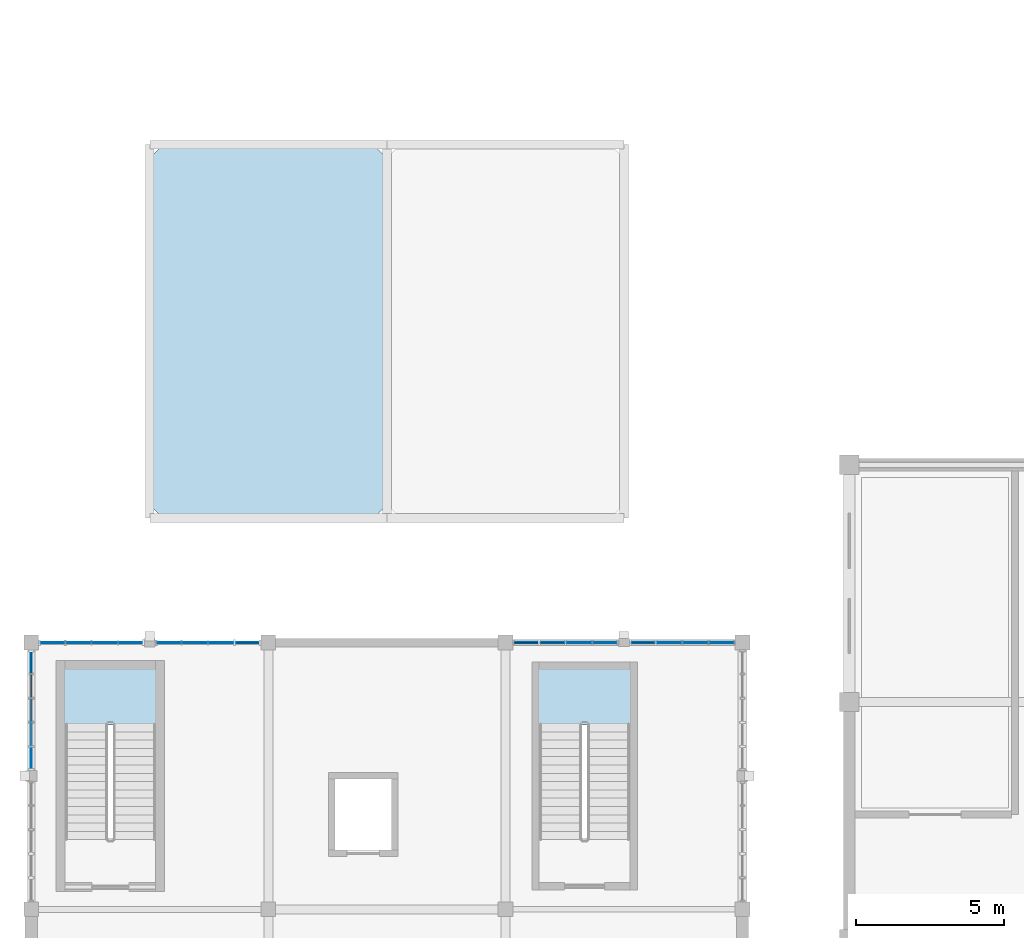
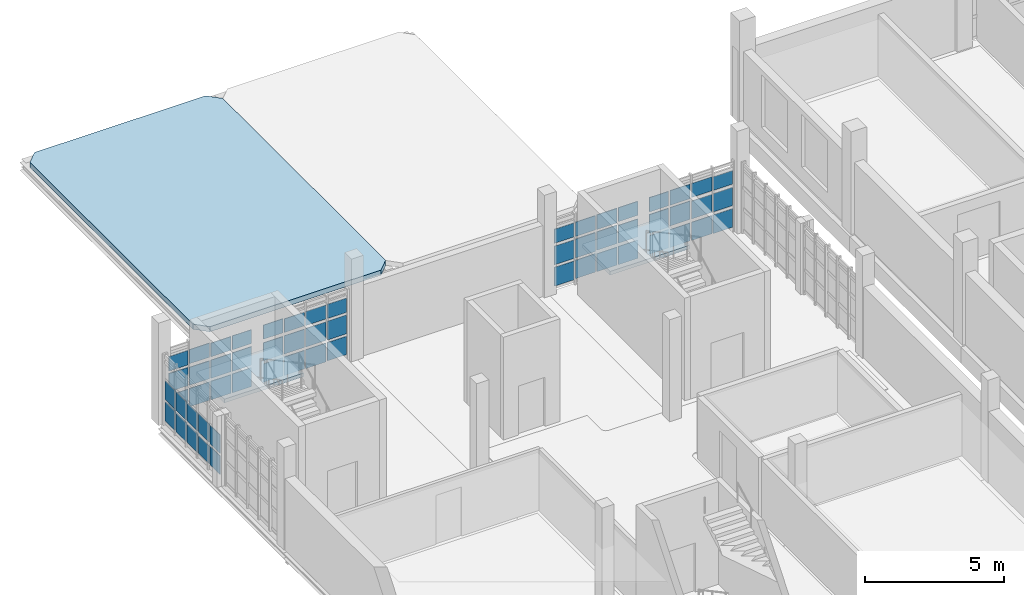
# One storey, part 81 of 125: 58 plates, 3 slabs, 7 elements without a shape of their own.
"""IFC4 building model written with IfcOpenShell, lengths in metres."""

from ifc_helpers import new_model, si_unit, direction, frame, origin, origin_2d, place, context, subcontext, project, spatial, polyline, rectangle, outline, extrude, material, layer, layer_set, type_object, element, aggregate, save


model = new_model("IFC4")

# Units and contexts
model_context = context("Model", 3, precision=1e-05, world=origin(), true_north=direction((0.0, 1.0)))
body_context = subcontext(model_context, "Body", "Model", "MODEL_VIEW")
ifc_project = project(units=[si_unit("LENGTHUNIT", "METRE"), si_unit("AREAUNIT", "SQUARE_METRE"), si_unit("VOLUMEUNIT", "CUBIC_METRE"), si_unit("PLANEANGLEUNIT", "RADIAN"), si_unit("MASSUNIT", "GRAM", prefix="KILO")], contexts=[model_context])

# Site, building, storey
site_placement = place(None, origin())
site = spatial("IfcSite", under=ifc_project, at=site_placement, CompositionType="ELEMENT")
building_placement = place(site_placement, origin())
building = spatial("IfcBuilding", under=site, at=building_placement, Name="Serraforn Aerial Cableway Station", CompositionType="ELEMENT")
storey_placement = place(building_placement, frame((0.0, 0.0, 4.5)))
storey = spatial("IfcBuildingStorey", under=building, at=storey_placement, Name="L01", CompositionType="ELEMENT", Elevation=4.5)

# Curtain wall, plates
ifc_material_1 = material(Name="Anodised bronze unitised curtain wall")
curtain_wall_type_1 = type_object("IfcCurtainWallType", Name="CW-SYS-13", PredefinedType="USERDEFINED", material=ifc_material_1)
curtain_wall_1_placement = place(storey_placement, origin())
curtain_wall_1 = element("IfcCurtainWall", 1, at=curtain_wall_1_placement, inside=storey, type_object=curtain_wall_type_1, Name="Unitised Curtain Wall CW-W-L01-N1A", ObjectType="UNITISED CURTAIN WALL", PredefinedType="USERDEFINED")
ifc_material_2 = material(Name="Solar-control low-E double glazing", Category="glass")
ifc_layer_1 = layer(ifc_material_2, 0.02587890625)
ifc_layer_set_1 = layer_set([ifc_layer_1], Name="Solar-control low-E double glazing")
plate_type_1 = type_object("IfcPlateType", Name="CW-GLZ-1", PredefinedType="CURTAIN_PANEL", material=ifc_layer_set_1)
plate_1_placement = place(storey_placement, frame((6.407470703125, 36.0, 2.062255859375), z_axis=(0.0, 0.0, 1.0), x_axis=(1.0, 0.0, 0.0)))
plate_1 = element("IfcPlate", 2, at=plate_1_placement, type_object=plate_type_1, Name="Curtain Wall Panel CW-W-L01-N1A-P2-3", PredefinedType="CURTAIN_PANEL", context=body_context, shape_type="SweptSolid", body=[
    extrude(rectangle(XDim=0.83203125, YDim=0.02587890625, at=origin_2d()), origin(), (0.0, 0.0, 1.0), 0.6103515625),
])
plate_2_placement = place(storey_placement, frame((5.520751953125, 36.0, 1.12646484375), z_axis=(0.0, 0.0, 1.0), x_axis=(1.0, 0.0, 0.0)))
plate_2 = element("IfcPlate", 3, at=plate_2_placement, type_object=plate_type_1, Name="Curtain Wall Panel CW-W-L01-N1A-P3-2", PredefinedType="CURTAIN_PANEL", context=body_context, shape_type="SweptSolid", body=[
    extrude(rectangle(XDim=0.839599609375, YDim=0.02587890625, at=origin_2d()), origin(), (0.0, 0.0, 1.0), 0.797607421875),
])
plate_3_placement = place(storey_placement, frame((4.64404296875, 36.0, 0.1904296875), z_axis=(0.0, 0.0, 1.0), x_axis=(1.0, 0.0, 0.0)))
plate_3 = element("IfcPlate", 4, at=plate_3_placement, type_object=plate_type_1, Name="Curtain Wall Panel CW-W-L01-N1A-P4-1", PredefinedType="CURTAIN_PANEL", context=body_context, shape_type="SweptSolid", body=[
    extrude(rectangle(XDim=0.802001953125, YDim=0.02587890625, at=origin_2d()), origin(), (0.0, 0.0, 1.0), 0.797607421875),
])

curtain_wall_type_2 = type_object("IfcCurtainWallType", Name="CW-SYS-14", PredefinedType="USERDEFINED", material=ifc_material_1)
curtain_wall_2_placement = place(storey_placement, origin())
curtain_wall_2 = element("IfcCurtainWall", 5, at=curtain_wall_2_placement, inside=storey, type_object=curtain_wall_type_2, Name="Unitised Curtain Wall CW-W-L01-N1B", ObjectType="UNITISED CURTAIN WALL", PredefinedType="USERDEFINED")
plate_4_placement = place(storey_placement, frame((3.349609375, 36.0, 2.062255859375), z_axis=(0.0, 0.0, 1.0), x_axis=(1.0, 0.0, 0.0)))
plate_4 = element("IfcPlate", 6, at=plate_4_placement, type_object=plate_type_1, Name="Curtain Wall Panel CW-W-L01-N1B-P1-3", PredefinedType="CURTAIN_PANEL", context=body_context, shape_type="SweptSolid", body=[
    extrude(rectangle(XDim=0.79443359375, YDim=0.02587890625, at=origin_2d()), origin(), (0.0, 0.0, 1.0), 0.6103515625),
])
plate_5_placement = place(storey_placement, frame((2.481689453125, 36.0, 1.12646484375), z_axis=(0.0, 0.0, 1.0), x_axis=(1.0, 0.0, 0.0)))
plate_5 = element("IfcPlate", 7, at=plate_5_placement, type_object=plate_type_1, Name="Curtain Wall Panel CW-W-L01-N1B-P2-2", PredefinedType="CURTAIN_PANEL", context=body_context, shape_type="SweptSolid", body=[
    extrude(rectangle(XDim=0.839599609375, YDim=0.02587890625, at=origin_2d()), origin(), (0.0, 0.0, 1.0), 0.797607421875),
])
plate_6_placement = place(storey_placement, frame((1.588623046875, 36.0, 0.1904296875), z_axis=(0.0, 0.0, 1.0), x_axis=(1.0, 0.0, 0.0)))
plate_6 = element("IfcPlate", 8, at=plate_6_placement, type_object=plate_type_1, Name="Curtain Wall Panel CW-W-L01-N1B-P3-1", PredefinedType="CURTAIN_PANEL", context=body_context, shape_type="SweptSolid", body=[
    extrude(rectangle(XDim=0.83447265625, YDim=0.02587890625, at=origin_2d()), origin(), (0.0, 0.0, 1.0), 0.797607421875),
])

curtain_wall_type_3 = type_object("IfcCurtainWallType", Name="CW-SYS-15", PredefinedType="USERDEFINED", material=ifc_material_1)
curtain_wall_3_placement = place(storey_placement, origin())
curtain_wall_3 = element("IfcCurtainWall", 9, at=curtain_wall_3_placement, inside=storey, type_object=curtain_wall_type_3, Name="Unitised Curtain Wall CW-W-L01-N3A", ObjectType="UNITISED CURTAIN WALL", PredefinedType="USERDEFINED")
plate_7_placement = place(storey_placement, frame((23.29296875, 36.0, 1.12646484375), z_axis=(0.0, 0.0, 1.0), x_axis=(1.0, 0.0, 0.0)))
plate_7 = element("IfcPlate", 10, at=plate_7_placement, type_object=plate_type_1, Name="Curtain Wall Panel CW-W-L01-N3A-P1-2", PredefinedType="CURTAIN_PANEL", context=body_context, shape_type="SweptSolid", body=[
    extrude(rectangle(XDim=0.81201171875, YDim=0.02587890625, at=origin_2d()), origin(), (0.0, 0.0, 1.0), 0.797607421875),
])
plate_8_placement = place(storey_placement, frame((22.413818359375, 36.0, 0.1904296875), z_axis=(0.0, 0.0, 1.0), x_axis=(1.0, 0.0, 0.0)))
plate_8 = element("IfcPlate", 11, at=plate_8_placement, type_object=plate_type_1, Name="Curtain Wall Panel CW-W-L01-N3A-P2-1", PredefinedType="CURTAIN_PANEL", context=body_context, shape_type="SweptSolid", body=[
    extrude(rectangle(XDim=0.83447265625, YDim=0.02587890625, at=origin_2d()), origin(), (0.0, 0.0, 1.0), 0.797607421875),
])

# Curtain wall, plate
curtain_wall_type_4 = type_object("IfcCurtainWallType", Name="CW-SYS-16", PredefinedType="USERDEFINED", material=ifc_material_1)
curtain_wall_4_placement = place(storey_placement, origin())
curtain_wall_4 = element("IfcCurtainWall", 12, at=curtain_wall_4_placement, inside=storey, type_object=curtain_wall_type_4, Name="Unitised Curtain Wall CW-W-L01-N3B", ObjectType="UNITISED CURTAIN WALL", PredefinedType="USERDEFINED")
plate_9_placement = place(storey_placement, frame((19.35986328125, 36.0, 0.1904296875), z_axis=(0.0, 0.0, 1.0), x_axis=(1.0, 0.0, 0.0)))
plate_9 = element("IfcPlate", 13, at=plate_9_placement, type_object=plate_type_1, Name="Curtain Wall Panel CW-W-L01-N3B-P1-1", PredefinedType="CURTAIN_PANEL", context=body_context, shape_type="SweptSolid", body=[
    extrude(rectangle(XDim=0.804443359375, YDim=0.02587890625, at=origin_2d()), origin(), (0.0, 0.0, 1.0), 0.797607421875),
])

curtain_wall_type_5 = type_object("IfcCurtainWallType", Name="CW-SYS-19", PredefinedType="USERDEFINED", material=ifc_material_1)
curtain_wall_5_placement = place(storey_placement, origin())
curtain_wall_5 = element("IfcCurtainWall", 14, at=curtain_wall_5_placement, inside=storey, type_object=curtain_wall_type_5, Name="Unitised Curtain Wall CW-W-L01-W4A", ObjectType="UNITISED CURTAIN WALL", PredefinedType="USERDEFINED")
plate_10_placement = place(storey_placement, frame((0.0, 32.107177734375, 1.11376953125), z_axis=(0.0, 0.0, 1.0), x_axis=(1.0, 0.0, 0.0)))
plate_10 = element("IfcPlate", 15, at=plate_10_placement, type_object=plate_type_1, Name="Curtain Wall Panel CW-W-L01-W4A-P5-2", PredefinedType="CURTAIN_PANEL", context=body_context, shape_type="SweptSolid", body=[
    extrude(rectangle(XDim=0.02587890625, YDim=0.70849609375, at=origin_2d()), origin(), (0.0, 0.0, 1.0), 0.824951171875),
])

# Plate
ifc_layer_2 = layer(ifc_material_2, 0.028076171875)
ifc_layer_set_2 = layer_set([ifc_layer_2], Name="Solar-control low-E double glazing")
plate_type_2 = type_object("IfcPlateType", Name="CW-GLZ-2", PredefinedType="CURTAIN_PANEL", material=ifc_layer_set_2)
plate_11_placement = place(storey_placement, frame((5.520751953125, 36.0, 2.06982421875), z_axis=(0.0, 0.0, 1.0), x_axis=(1.0, 0.0, 0.0)))
plate_11 = element("IfcPlate", 16, at=plate_11_placement, type_object=plate_type_2, Name="Curtain Wall Panel CW-W-L01-N1A-P3-3", PredefinedType="CURTAIN_PANEL", context=body_context, shape_type="SweptSolid", body=[
    extrude(rectangle(XDim=0.839599609375, YDim=0.028076171875, at=origin_2d()), origin(), (0.0, 0.0, 1.0), 0.59521484375),
])

plate_12_placement = place(storey_placement, frame((4.64404296875, 36.0, 1.1337890625), z_axis=(0.0, 0.0, 1.0), x_axis=(1.0, 0.0, 0.0)))
plate_12 = element("IfcPlate", 17, at=plate_12_placement, type_object=plate_type_2, Name="Curtain Wall Panel CW-W-L01-N1A-P4-2", PredefinedType="CURTAIN_PANEL", context=body_context, shape_type="SweptSolid", body=[
    extrude(rectangle(XDim=0.802001953125, YDim=0.028076171875, at=origin_2d()), origin(), (0.0, 0.0, 1.0), 0.782470703125),
])

plate_13_placement = place(storey_placement, frame((2.481689453125, 36.0, 2.06982421875), z_axis=(0.0, 0.0, 1.0), x_axis=(1.0, 0.0, 0.0)))
plate_13 = element("IfcPlate", 18, at=plate_13_placement, type_object=plate_type_2, Name="Curtain Wall Panel CW-W-L01-N1B-P2-3", PredefinedType="CURTAIN_PANEL", context=body_context, shape_type="SweptSolid", body=[
    extrude(rectangle(XDim=0.839599609375, YDim=0.028076171875, at=origin_2d()), origin(), (0.0, 0.0, 1.0), 0.59521484375),
])

plate_14_placement = place(storey_placement, frame((1.588623046875, 36.0, 1.1337890625), z_axis=(0.0, 0.0, 1.0), x_axis=(1.0, 0.0, 0.0)))
plate_14 = element("IfcPlate", 19, at=plate_14_placement, type_object=plate_type_2, Name="Curtain Wall Panel CW-W-L01-N1B-P3-2", PredefinedType="CURTAIN_PANEL", context=body_context, shape_type="SweptSolid", body=[
    extrude(rectangle(XDim=0.83447265625, YDim=0.028076171875, at=origin_2d()), origin(), (0.0, 0.0, 1.0), 0.782470703125),
])

plate_15_placement = place(storey_placement, frame((0.713134765625, 36.0, 0.19775390625), z_axis=(0.0, 0.0, 1.0), x_axis=(1.0, 0.0, 0.0)))
plate_15 = element("IfcPlate", 20, at=plate_15_placement, type_object=plate_type_2, Name="Curtain Wall Panel CW-W-L01-N1B-P4-1", PredefinedType="CURTAIN_PANEL", context=body_context, shape_type="SweptSolid", body=[
    extrude(rectangle(XDim=0.79443359375, YDim=0.028076171875, at=origin_2d()), origin(), (0.0, 0.0, 1.0), 0.782470703125),
])

plate_16_placement = place(storey_placement, frame((23.29296875, 36.0, 2.06982421875), z_axis=(0.0, 0.0, 1.0), x_axis=(1.0, 0.0, 0.0)))
plate_16 = element("IfcPlate", 21, at=plate_16_placement, type_object=plate_type_2, Name="Curtain Wall Panel CW-W-L01-N3A-P1-3", PredefinedType="CURTAIN_PANEL", context=body_context, shape_type="SweptSolid", body=[
    extrude(rectangle(XDim=0.81201171875, YDim=0.028076171875, at=origin_2d()), origin(), (0.0, 0.0, 1.0), 0.59521484375),
])

plate_17_placement = place(storey_placement, frame((22.413818359375, 36.0, 1.1337890625), z_axis=(0.0, 0.0, 1.0), x_axis=(1.0, 0.0, 0.0)))
plate_17 = element("IfcPlate", 22, at=plate_17_placement, type_object=plate_type_2, Name="Curtain Wall Panel CW-W-L01-N3A-P2-2", PredefinedType="CURTAIN_PANEL", context=body_context, shape_type="SweptSolid", body=[
    extrude(rectangle(XDim=0.83447265625, YDim=0.028076171875, at=origin_2d()), origin(), (0.0, 0.0, 1.0), 0.782470703125),
])

plate_18_placement = place(storey_placement, frame((21.520751953125, 36.0, 0.19775390625), z_axis=(0.0, 0.0, 1.0), x_axis=(1.0, 0.0, 0.0)))
plate_18 = element("IfcPlate", 23, at=plate_18_placement, type_object=plate_type_2, Name="Curtain Wall Panel CW-W-L01-N3A-P3-1", PredefinedType="CURTAIN_PANEL", context=body_context, shape_type="SweptSolid", body=[
    extrude(rectangle(XDim=0.82958984375, YDim=0.028076171875, at=origin_2d()), origin(), (0.0, 0.0, 1.0), 0.782470703125),
])

plate_19_placement = place(storey_placement, frame((19.35986328125, 36.0, 1.1337890625), z_axis=(0.0, 0.0, 1.0), x_axis=(1.0, 0.0, 0.0)))
plate_19 = element("IfcPlate", 24, at=plate_19_placement, type_object=plate_type_2, Name="Curtain Wall Panel CW-W-L01-N3B-P1-2", PredefinedType="CURTAIN_PANEL", context=body_context, shape_type="SweptSolid", body=[
    extrude(rectangle(XDim=0.804443359375, YDim=0.028076171875, at=origin_2d()), origin(), (0.0, 0.0, 1.0), 0.782470703125),
])

plate_20_placement = place(storey_placement, frame((18.481689453125, 36.0, 0.19775390625), z_axis=(0.0, 0.0, 1.0), x_axis=(1.0, 0.0, 0.0)))
plate_20 = element("IfcPlate", 25, at=plate_20_placement, type_object=plate_type_2, Name="Curtain Wall Panel CW-W-L01-N3B-P2-1", PredefinedType="CURTAIN_PANEL", context=body_context, shape_type="SweptSolid", body=[
    extrude(rectangle(XDim=0.82958984375, YDim=0.028076171875, at=origin_2d()), origin(), (0.0, 0.0, 1.0), 0.782470703125),
])

ifc_layer_3 = layer(ifc_material_2, 0.030029296875)
ifc_layer_set_3 = layer_set([ifc_layer_3], Name="Solar-control low-E double glazing")
plate_type_3 = type_object("IfcPlateType", Name="CW-GLZ-3", PredefinedType="CURTAIN_PANEL", material=ifc_layer_set_3)
plate_21_placement = place(storey_placement, frame((4.64404296875, 36.0, 2.077392578125), z_axis=(0.0, 0.0, 1.0), x_axis=(1.0, 0.0, 0.0)))
plate_21 = element("IfcPlate", 26, at=plate_21_placement, type_object=plate_type_3, Name="Curtain Wall Panel CW-W-L01-N1A-P4-3", PredefinedType="CURTAIN_PANEL", context=body_context, shape_type="SweptSolid", body=[
    extrude(rectangle(XDim=0.802001953125, YDim=0.030029296875, at=origin_2d()), origin(), (0.0, 0.0, 1.0), 0.615234375),
])

plate_22_placement = place(storey_placement, frame((1.588623046875, 36.0, 2.077392578125), z_axis=(0.0, 0.0, 1.0), x_axis=(1.0, 0.0, 0.0)))
plate_22 = element("IfcPlate", 27, at=plate_22_placement, type_object=plate_type_3, Name="Curtain Wall Panel CW-W-L01-N1B-P3-3", PredefinedType="CURTAIN_PANEL", context=body_context, shape_type="SweptSolid", body=[
    extrude(rectangle(XDim=0.83447265625, YDim=0.030029296875, at=origin_2d()), origin(), (0.0, 0.0, 1.0), 0.615234375),
])

plate_23_placement = place(storey_placement, frame((0.713134765625, 36.0, 1.14111328125), z_axis=(0.0, 0.0, 1.0), x_axis=(1.0, 0.0, 0.0)))
plate_23 = element("IfcPlate", 28, at=plate_23_placement, type_object=plate_type_3, Name="Curtain Wall Panel CW-W-L01-N1B-P4-2", PredefinedType="CURTAIN_PANEL", context=body_context, shape_type="SweptSolid", body=[
    extrude(rectangle(XDim=0.79443359375, YDim=0.030029296875, at=origin_2d()), origin(), (0.0, 0.0, 1.0), 0.802490234375),
])

plate_24_placement = place(storey_placement, frame((22.413818359375, 36.0, 2.077392578125), z_axis=(0.0, 0.0, 1.0), x_axis=(1.0, 0.0, 0.0)))
plate_24 = element("IfcPlate", 29, at=plate_24_placement, type_object=plate_type_3, Name="Curtain Wall Panel CW-W-L01-N3A-P2-3", PredefinedType="CURTAIN_PANEL", context=body_context, shape_type="SweptSolid", body=[
    extrude(rectangle(XDim=0.83447265625, YDim=0.030029296875, at=origin_2d()), origin(), (0.0, 0.0, 1.0), 0.615234375),
])

plate_25_placement = place(storey_placement, frame((21.520751953125, 36.0, 1.14111328125), z_axis=(0.0, 0.0, 1.0), x_axis=(1.0, 0.0, 0.0)))
plate_25 = element("IfcPlate", 30, at=plate_25_placement, type_object=plate_type_3, Name="Curtain Wall Panel CW-W-L01-N3A-P3-2", PredefinedType="CURTAIN_PANEL", context=body_context, shape_type="SweptSolid", body=[
    extrude(rectangle(XDim=0.82958984375, YDim=0.030029296875, at=origin_2d()), origin(), (0.0, 0.0, 1.0), 0.802490234375),
])

plate_26_placement = place(storey_placement, frame((20.646484375, 36.0, 0.20556640625), z_axis=(0.0, 0.0, 1.0), x_axis=(1.0, 0.0, 0.0)))
plate_26 = element("IfcPlate", 31, at=plate_26_placement, type_object=plate_type_3, Name="Curtain Wall Panel CW-W-L01-N3A-P4-1", PredefinedType="CURTAIN_PANEL", context=body_context, shape_type="SweptSolid", body=[
    extrude(rectangle(XDim=0.787109375, YDim=0.030029296875, at=origin_2d()), origin(), (0.0, 0.0, 1.0), 0.802490234375),
])

plate_27_placement = place(storey_placement, frame((19.35986328125, 36.0, 2.077392578125), z_axis=(0.0, 0.0, 1.0), x_axis=(1.0, 0.0, 0.0)))
plate_27 = element("IfcPlate", 32, at=plate_27_placement, type_object=plate_type_3, Name="Curtain Wall Panel CW-W-L01-N3B-P1-3", PredefinedType="CURTAIN_PANEL", context=body_context, shape_type="SweptSolid", body=[
    extrude(rectangle(XDim=0.804443359375, YDim=0.030029296875, at=origin_2d()), origin(), (0.0, 0.0, 1.0), 0.615234375),
])

plate_28_placement = place(storey_placement, frame((18.481689453125, 36.0, 1.14111328125), z_axis=(0.0, 0.0, 1.0), x_axis=(1.0, 0.0, 0.0)))
plate_28 = element("IfcPlate", 33, at=plate_28_placement, type_object=plate_type_3, Name="Curtain Wall Panel CW-W-L01-N3B-P2-2", PredefinedType="CURTAIN_PANEL", context=body_context, shape_type="SweptSolid", body=[
    extrude(rectangle(XDim=0.82958984375, YDim=0.030029296875, at=origin_2d()), origin(), (0.0, 0.0, 1.0), 0.802490234375),
])

plate_29_placement = place(storey_placement, frame((17.5888671875, 36.0, 0.20556640625), z_axis=(0.0, 0.0, 1.0), x_axis=(1.0, 0.0, 0.0)))
plate_29 = element("IfcPlate", 34, at=plate_29_placement, type_object=plate_type_3, Name="Curtain Wall Panel CW-W-L01-N3B-P3-1", PredefinedType="CURTAIN_PANEL", context=body_context, shape_type="SweptSolid", body=[
    extrude(rectangle(XDim=0.824462890625, YDim=0.030029296875, at=origin_2d()), origin(), (0.0, 0.0, 1.0), 0.802490234375),
])

ifc_layer_4 = layer(ifc_material_2, 0.031982421875)
ifc_layer_set_4 = layer_set([ifc_layer_4], Name="Solar-control low-E double glazing")
plate_type_4 = type_object("IfcPlateType", Name="CW-GLZ-4", PredefinedType="CURTAIN_PANEL", material=ifc_layer_set_4)
plate_30_placement = place(storey_placement, frame((0.713134765625, 36.0, 2.0498046875), z_axis=(0.0, 0.0, 1.0), x_axis=(1.0, 0.0, 0.0)))
plate_30 = element("IfcPlate", 35, at=plate_30_placement, type_object=plate_type_4, Name="Curtain Wall Panel CW-W-L01-N1B-P4-3", PredefinedType="CURTAIN_PANEL", context=body_context, shape_type="SweptSolid", body=[
    extrude(rectangle(XDim=0.79443359375, YDim=0.031982421875, at=origin_2d()), origin(), (0.0, 0.0, 1.0), 0.6376953125),
])

plate_31_placement = place(storey_placement, frame((21.520751953125, 36.0, 2.0498046875), z_axis=(0.0, 0.0, 1.0), x_axis=(1.0, 0.0, 0.0)))
plate_31 = element("IfcPlate", 36, at=plate_31_placement, type_object=plate_type_4, Name="Curtain Wall Panel CW-W-L01-N3A-P3-3", PredefinedType="CURTAIN_PANEL", context=body_context, shape_type="SweptSolid", body=[
    extrude(rectangle(XDim=0.82958984375, YDim=0.031982421875, at=origin_2d()), origin(), (0.0, 0.0, 1.0), 0.6376953125),
])

plate_32_placement = place(storey_placement, frame((20.646484375, 36.0, 1.11376953125), z_axis=(0.0, 0.0, 1.0), x_axis=(1.0, 0.0, 0.0)))
plate_32 = element("IfcPlate", 37, at=plate_32_placement, type_object=plate_type_4, Name="Curtain Wall Panel CW-W-L01-N3A-P4-2", PredefinedType="CURTAIN_PANEL", context=body_context, shape_type="SweptSolid", body=[
    extrude(rectangle(XDim=0.787109375, YDim=0.031982421875, at=origin_2d()), origin(), (0.0, 0.0, 1.0), 0.824951171875),
])

plate_33_placement = place(storey_placement, frame((18.481689453125, 36.0, 2.0498046875), z_axis=(0.0, 0.0, 1.0), x_axis=(1.0, 0.0, 0.0)))
plate_33 = element("IfcPlate", 38, at=plate_33_placement, type_object=plate_type_4, Name="Curtain Wall Panel CW-W-L01-N3B-P2-3", PredefinedType="CURTAIN_PANEL", context=body_context, shape_type="SweptSolid", body=[
    extrude(rectangle(XDim=0.82958984375, YDim=0.031982421875, at=origin_2d()), origin(), (0.0, 0.0, 1.0), 0.6376953125),
])

plate_34_placement = place(storey_placement, frame((17.5888671875, 36.0, 1.11376953125), z_axis=(0.0, 0.0, 1.0), x_axis=(1.0, 0.0, 0.0)))
plate_34 = element("IfcPlate", 39, at=plate_34_placement, type_object=plate_type_4, Name="Curtain Wall Panel CW-W-L01-N3B-P3-2", PredefinedType="CURTAIN_PANEL", context=body_context, shape_type="SweptSolid", body=[
    extrude(rectangle(XDim=0.824462890625, YDim=0.031982421875, at=origin_2d()), origin(), (0.0, 0.0, 1.0), 0.824951171875),
])

plate_35_placement = place(storey_placement, frame((16.703369140625, 36.0, 0.177734375), z_axis=(0.0, 0.0, 1.0), x_axis=(1.0, 0.0, 0.0)))
plate_35 = element("IfcPlate", 40, at=plate_35_placement, type_object=plate_type_4, Name="Curtain Wall Panel CW-W-L01-N3B-P4-1", PredefinedType="CURTAIN_PANEL", context=body_context, shape_type="SweptSolid", body=[
    extrude(rectangle(XDim=0.804443359375, YDim=0.031982421875, at=origin_2d()), origin(), (0.0, 0.0, 1.0), 0.824951171875),
])

plate_36_placement = place(storey_placement, frame((0.0, 35.321044921875, 0.177734375), z_axis=(0.0, 0.0, 1.0), x_axis=(1.0, 0.0, 0.0)))
plate_36 = element("IfcPlate", 41, at=plate_36_placement, type_object=plate_type_4, Name="Curtain Wall Panel CW-W-L01-W4A-P1-1", PredefinedType="CURTAIN_PANEL", context=body_context, shape_type="SweptSolid", body=[
    extrude(rectangle(XDim=0.031982421875, YDim=0.7158203125, at=origin_2d()), origin(), (0.0, 0.0, 1.0), 0.824951171875),
])

ifc_layer_5 = layer(ifc_material_2, 0.033935546875)
ifc_layer_set_5 = layer_set([ifc_layer_5], Name="Solar-control low-E double glazing")
plate_type_5 = type_object("IfcPlateType", Name="CW-GLZ-5", PredefinedType="CURTAIN_PANEL", material=ifc_layer_set_5)
plate_37_placement = place(storey_placement, frame((20.646484375, 36.0, 2.0546875), z_axis=(0.0, 0.0, 1.0), x_axis=(1.0, 0.0, 0.0)))
plate_37 = element("IfcPlate", 42, at=plate_37_placement, type_object=plate_type_5, Name="Curtain Wall Panel CW-W-L01-N3A-P4-3", PredefinedType="CURTAIN_PANEL", context=body_context, shape_type="SweptSolid", body=[
    extrude(rectangle(XDim=0.787109375, YDim=0.033935546875, at=origin_2d()), origin(), (0.0, 0.0, 1.0), 0.625244140625),
])

plate_38_placement = place(storey_placement, frame((17.5888671875, 36.0, 2.0546875), z_axis=(0.0, 0.0, 1.0), x_axis=(1.0, 0.0, 0.0)))
plate_38 = element("IfcPlate", 43, at=plate_38_placement, type_object=plate_type_5, Name="Curtain Wall Panel CW-W-L01-N3B-P3-3", PredefinedType="CURTAIN_PANEL", context=body_context, shape_type="SweptSolid", body=[
    extrude(rectangle(XDim=0.824462890625, YDim=0.033935546875, at=origin_2d()), origin(), (0.0, 0.0, 1.0), 0.625244140625),
])

plate_39_placement = place(storey_placement, frame((16.703369140625, 36.0, 1.118896484375), z_axis=(0.0, 0.0, 1.0), x_axis=(1.0, 0.0, 0.0)))
plate_39 = element("IfcPlate", 44, at=plate_39_placement, type_object=plate_type_5, Name="Curtain Wall Panel CW-W-L01-N3B-P4-2", PredefinedType="CURTAIN_PANEL", context=body_context, shape_type="SweptSolid", body=[
    extrude(rectangle(XDim=0.804443359375, YDim=0.033935546875, at=origin_2d()), origin(), (0.0, 0.0, 1.0), 0.8125),
])

plate_40_placement = place(storey_placement, frame((0.0, 35.321044921875, 1.118896484375), z_axis=(0.0, 0.0, 1.0), x_axis=(1.0, 0.0, 0.0)))
plate_40 = element("IfcPlate", 45, at=plate_40_placement, type_object=plate_type_5, Name="Curtain Wall Panel CW-W-L01-W4A-P1-2", PredefinedType="CURTAIN_PANEL", context=body_context, shape_type="SweptSolid", body=[
    extrude(rectangle(XDim=0.033935546875, YDim=0.7158203125, at=origin_2d()), origin(), (0.0, 0.0, 1.0), 0.8125),
])

plate_41_placement = place(storey_placement, frame((0.0, 34.531494140625, 0.182861328125), z_axis=(0.0, 0.0, 1.0), x_axis=(1.0, 0.0, 0.0)))
plate_41 = element("IfcPlate", 46, at=plate_41_placement, type_object=plate_type_5, Name="Curtain Wall Panel CW-W-L01-W4A-P2-1", PredefinedType="CURTAIN_PANEL", context=body_context, shape_type="SweptSolid", body=[
    extrude(rectangle(XDim=0.033935546875, YDim=0.760986328125, at=origin_2d()), origin(), (0.0, 0.0, 1.0), 0.8125),
])

ifc_layer_6 = layer(ifc_material_2, 0.035888671875)
ifc_layer_set_6 = layer_set([ifc_layer_6], Name="Solar-control low-E double glazing")
plate_type_6 = type_object("IfcPlateType", Name="CW-GLZ-6", PredefinedType="CURTAIN_PANEL", material=ifc_layer_set_6)
plate_42_placement = place(storey_placement, frame((7.289306640625, 36.0, 0.20556640625), z_axis=(0.0, 0.0, 1.0), x_axis=(1.0, 0.0, 0.0)))
plate_42 = element("IfcPlate", 47, at=plate_42_placement, type_object=plate_type_6, Name="Curtain Wall Panel CW-W-L01-N1A-P1-1", PredefinedType="CURTAIN_PANEL", context=body_context, shape_type="SweptSolid", body=[
    extrude(rectangle(XDim=0.78955078125, YDim=0.035888671875, at=origin_2d()), origin(), (0.0, 0.0, 1.0), 0.802490234375),
])

plate_43_placement = place(storey_placement, frame((16.703369140625, 36.0, 2.062255859375), z_axis=(0.0, 0.0, 1.0), x_axis=(1.0, 0.0, 0.0)))
plate_43 = element("IfcPlate", 48, at=plate_43_placement, type_object=plate_type_6, Name="Curtain Wall Panel CW-W-L01-N3B-P4-3", PredefinedType="CURTAIN_PANEL", context=body_context, shape_type="SweptSolid", body=[
    extrude(rectangle(XDim=0.804443359375, YDim=0.035888671875, at=origin_2d()), origin(), (0.0, 0.0, 1.0), 0.6103515625),
])

aggregate(curtain_wall_4, [plate_9, plate_19, plate_27, plate_20, plate_28, plate_33, plate_29, plate_34, plate_38, plate_35, plate_39, plate_43])

plate_44_placement = place(storey_placement, frame((0.0, 34.531494140625, 1.12646484375), z_axis=(0.0, 0.0, 1.0), x_axis=(1.0, 0.0, 0.0)))
plate_44 = element("IfcPlate", 49, at=plate_44_placement, type_object=plate_type_6, Name="Curtain Wall Panel CW-W-L01-W4A-P2-2", PredefinedType="CURTAIN_PANEL", context=body_context, shape_type="SweptSolid", body=[
    extrude(rectangle(XDim=0.035888671875, YDim=0.760986328125, at=origin_2d()), origin(), (0.0, 0.0, 1.0), 0.797607421875),
])

plate_45_placement = place(storey_placement, frame((0.0, 33.71728515625, 0.1904296875), z_axis=(0.0, 0.0, 1.0), x_axis=(1.0, 0.0, 0.0)))
plate_45 = element("IfcPlate", 50, at=plate_45_placement, type_object=plate_type_6, Name="Curtain Wall Panel CW-W-L01-W4A-P3-1", PredefinedType="CURTAIN_PANEL", context=body_context, shape_type="SweptSolid", body=[
    extrude(rectangle(XDim=0.035888671875, YDim=0.755859375, at=origin_2d()), origin(), (0.0, 0.0, 1.0), 0.797607421875),
])

ifc_layer_7 = layer(ifc_material_2, 0.029052734375)
ifc_layer_set_7 = layer_set([ifc_layer_7], Name="Solar-control low-E double glazing")
plate_type_7 = type_object("IfcPlateType", Name="CW-GLZ-7", PredefinedType="CURTAIN_PANEL", material=ifc_layer_set_7)
plate_46_placement = place(storey_placement, frame((7.289306640625, 36.0, 1.11376953125), z_axis=(0.0, 0.0, 1.0), x_axis=(1.0, 0.0, 0.0)))
plate_46 = element("IfcPlate", 51, at=plate_46_placement, type_object=plate_type_7, Name="Curtain Wall Panel CW-W-L01-N1A-P1-2", PredefinedType="CURTAIN_PANEL", context=body_context, shape_type="SweptSolid", body=[
    extrude(rectangle(XDim=0.78955078125, YDim=0.029052734375, at=origin_2d()), origin(), (0.0, 0.0, 1.0), 0.824951171875),
])

plate_47_placement = place(storey_placement, frame((6.407470703125, 36.0, 0.177734375), z_axis=(0.0, 0.0, 1.0), x_axis=(1.0, 0.0, 0.0)))
plate_47 = element("IfcPlate", 52, at=plate_47_placement, type_object=plate_type_7, Name="Curtain Wall Panel CW-W-L01-N1A-P2-1", PredefinedType="CURTAIN_PANEL", context=body_context, shape_type="SweptSolid", body=[
    extrude(rectangle(XDim=0.83203125, YDim=0.029052734375, at=origin_2d()), origin(), (0.0, 0.0, 1.0), 0.824951171875),
])

plate_48_placement = place(storey_placement, frame((3.349609375, 36.0, 0.177734375), z_axis=(0.0, 0.0, 1.0), x_axis=(1.0, 0.0, 0.0)))
plate_48 = element("IfcPlate", 53, at=plate_48_placement, type_object=plate_type_7, Name="Curtain Wall Panel CW-W-L01-N1B-P1-1", PredefinedType="CURTAIN_PANEL", context=body_context, shape_type="SweptSolid", body=[
    extrude(rectangle(XDim=0.79443359375, YDim=0.029052734375, at=origin_2d()), origin(), (0.0, 0.0, 1.0), 0.824951171875),
])

plate_49_placement = place(storey_placement, frame((0.0, 33.71728515625, 1.1337890625), z_axis=(0.0, 0.0, 1.0), x_axis=(1.0, 0.0, 0.0)))
plate_49 = element("IfcPlate", 54, at=plate_49_placement, type_object=plate_type_7, Name="Curtain Wall Panel CW-W-L01-W4A-P3-2", PredefinedType="CURTAIN_PANEL", context=body_context, shape_type="SweptSolid", body=[
    extrude(rectangle(XDim=0.029052734375, YDim=0.755859375, at=origin_2d()), origin(), (0.0, 0.0, 1.0), 0.782470703125),
])

plate_50_placement = place(storey_placement, frame((0.0, 32.90283203125, 0.19775390625), z_axis=(0.0, 0.0, 1.0), x_axis=(1.0, 0.0, 0.0)))
plate_50 = element("IfcPlate", 55, at=plate_50_placement, type_object=plate_type_7, Name="Curtain Wall Panel CW-W-L01-W4A-P4-1", PredefinedType="CURTAIN_PANEL", context=body_context, shape_type="SweptSolid", body=[
    extrude(rectangle(XDim=0.029052734375, YDim=0.7509765625, at=origin_2d()), origin(), (0.0, 0.0, 1.0), 0.782470703125),
])

ifc_layer_8 = layer(ifc_material_2, 0.031005859375)
ifc_layer_set_8 = layer_set([ifc_layer_8], Name="Solar-control low-E double glazing")
plate_type_8 = type_object("IfcPlateType", Name="CW-GLZ-8", PredefinedType="CURTAIN_PANEL", material=ifc_layer_set_8)
plate_51_placement = place(storey_placement, frame((7.289306640625, 36.0, 2.0546875), z_axis=(0.0, 0.0, 1.0), x_axis=(1.0, 0.0, 0.0)))
plate_51 = element("IfcPlate", 56, at=plate_51_placement, type_object=plate_type_8, Name="Curtain Wall Panel CW-W-L01-N1A-P1-3", PredefinedType="CURTAIN_PANEL", context=body_context, shape_type="SweptSolid", body=[
    extrude(rectangle(XDim=0.78955078125, YDim=0.031005859375, at=origin_2d()), origin(), (0.0, 0.0, 1.0), 0.625244140625),
])

plate_52_placement = place(storey_placement, frame((6.407470703125, 36.0, 1.118896484375), z_axis=(0.0, 0.0, 1.0), x_axis=(1.0, 0.0, 0.0)))
plate_52 = element("IfcPlate", 57, at=plate_52_placement, type_object=plate_type_8, Name="Curtain Wall Panel CW-W-L01-N1A-P2-2", PredefinedType="CURTAIN_PANEL", context=body_context, shape_type="SweptSolid", body=[
    extrude(rectangle(XDim=0.83203125, YDim=0.031005859375, at=origin_2d()), origin(), (0.0, 0.0, 1.0), 0.8125),
])

plate_53_placement = place(storey_placement, frame((5.520751953125, 36.0, 0.182861328125), z_axis=(0.0, 0.0, 1.0), x_axis=(1.0, 0.0, 0.0)))
plate_53 = element("IfcPlate", 58, at=plate_53_placement, type_object=plate_type_8, Name="Curtain Wall Panel CW-W-L01-N1A-P3-1", PredefinedType="CURTAIN_PANEL", context=body_context, shape_type="SweptSolid", body=[
    extrude(rectangle(XDim=0.839599609375, YDim=0.031005859375, at=origin_2d()), origin(), (0.0, 0.0, 1.0), 0.8125),
])

aggregate(curtain_wall_1, [plate_42, plate_46, plate_51, plate_47, plate_52, plate_1, plate_53, plate_2, plate_11, plate_3, plate_12, plate_21])

plate_54_placement = place(storey_placement, frame((3.349609375, 36.0, 1.118896484375), z_axis=(0.0, 0.0, 1.0), x_axis=(1.0, 0.0, 0.0)))
plate_54 = element("IfcPlate", 59, at=plate_54_placement, type_object=plate_type_8, Name="Curtain Wall Panel CW-W-L01-N1B-P1-2", PredefinedType="CURTAIN_PANEL", context=body_context, shape_type="SweptSolid", body=[
    extrude(rectangle(XDim=0.79443359375, YDim=0.031005859375, at=origin_2d()), origin(), (0.0, 0.0, 1.0), 0.8125),
])

plate_55_placement = place(storey_placement, frame((2.481689453125, 36.0, 0.182861328125), z_axis=(0.0, 0.0, 1.0), x_axis=(1.0, 0.0, 0.0)))
plate_55 = element("IfcPlate", 60, at=plate_55_placement, type_object=plate_type_8, Name="Curtain Wall Panel CW-W-L01-N1B-P2-1", PredefinedType="CURTAIN_PANEL", context=body_context, shape_type="SweptSolid", body=[
    extrude(rectangle(XDim=0.839599609375, YDim=0.031005859375, at=origin_2d()), origin(), (0.0, 0.0, 1.0), 0.8125),
])

aggregate(curtain_wall_2, [plate_48, plate_54, plate_4, plate_55, plate_5, plate_13, plate_6, plate_14, plate_22, plate_15, plate_23, plate_30])

plate_56_placement = place(storey_placement, frame((23.29296875, 36.0, 0.182861328125), z_axis=(0.0, 0.0, 1.0), x_axis=(1.0, 0.0, 0.0)))
plate_56 = element("IfcPlate", 61, at=plate_56_placement, type_object=plate_type_8, Name="Curtain Wall Panel CW-W-L01-N3A-P1-1", PredefinedType="CURTAIN_PANEL", context=body_context, shape_type="SweptSolid", body=[
    extrude(rectangle(XDim=0.81201171875, YDim=0.031005859375, at=origin_2d()), origin(), (0.0, 0.0, 1.0), 0.8125),
])

aggregate(curtain_wall_3, [plate_56, plate_7, plate_16, plate_8, plate_17, plate_24, plate_18, plate_25, plate_31, plate_26, plate_32, plate_37])

plate_57_placement = place(storey_placement, frame((0.0, 32.90283203125, 1.14111328125), z_axis=(0.0, 0.0, 1.0), x_axis=(1.0, 0.0, 0.0)))
plate_57 = element("IfcPlate", 62, at=plate_57_placement, type_object=plate_type_8, Name="Curtain Wall Panel CW-W-L01-W4A-P4-2", PredefinedType="CURTAIN_PANEL", context=body_context, shape_type="SweptSolid", body=[
    extrude(rectangle(XDim=0.031005859375, YDim=0.7509765625, at=origin_2d()), origin(), (0.0, 0.0, 1.0), 0.802490234375),
])

plate_58_placement = place(storey_placement, frame((0.0, 32.107177734375, 0.20556640625), z_axis=(0.0, 0.0, 1.0), x_axis=(1.0, 0.0, 0.0)))
plate_58 = element("IfcPlate", 63, at=plate_58_placement, type_object=plate_type_8, Name="Curtain Wall Panel CW-W-L01-W4A-P5-1", PredefinedType="CURTAIN_PANEL", context=body_context, shape_type="SweptSolid", body=[
    extrude(rectangle(XDim=0.031005859375, YDim=0.70849609375, at=origin_2d()), origin(), (0.0, 0.0, 1.0), 0.802490234375),
])

aggregate(curtain_wall_5, [plate_36, plate_40, plate_41, plate_44, plate_45, plate_49, plate_50, plate_57, plate_58, plate_10])

# Stair, slab
ifc_material_3 = material(Name="Concrete C35/45", Category="concrete")
stair_type_1 = type_object("IfcStairType", Name="STR-DL-1", PredefinedType="HALF_TURN_STAIR", material=ifc_material_3)
stair_1_placement = place(storey_placement, origin())
stair_1 = element("IfcStair", 64, at=stair_1_placement, inside=storey, type_object=stair_type_1, Name="L01 West Wing North Exit Stair 1", PredefinedType="HALF_TURN_STAIR")
ifc_layer_9 = layer(ifc_material_3, 0.159912109375)
ifc_layer_set_9 = layer_set([ifc_layer_9], Name="Concrete C35/45")
slab_type_1 = type_object("IfcSlabType", Name="SLB-LND-160", PredefinedType="LANDING", material=ifc_layer_set_9)
slab_1_placement = place(storey_placement, frame((0.0, 0.0, 2.090087890625)))
slab_1 = element("IfcSlab", 65, at=slab_1_placement, type_object=slab_type_1, Name="ST-01 landing 1", PredefinedType="LANDING", context=body_context, shape_type="SweptSolid", body=[
    extrude(outline(polyline([(4.320068359375, 33.219970703125), (4.320068359375, 35.219970703125), (1.02001953125, 35.219970703125), (1.02001953125, 33.219970703125), (4.320068359375, 33.219970703125)])), origin(), (0.0, 0.0, 1.0), 0.159912109375),
])
aggregate(stair_1, [slab_1])

stair_type_2 = type_object("IfcStairType", Name="STR-DL-2", PredefinedType="HALF_TURN_STAIR", material=ifc_material_3)
stair_2_placement = place(storey_placement, origin())
stair_2 = element("IfcStair", 66, at=stair_2_placement, inside=storey, type_object=stair_type_2, Name="L01 West Wing East Exit Stair 2", PredefinedType="HALF_TURN_STAIR")
slab_2_placement = place(storey_placement, frame((0.0, 0.0, 2.090087890625)))
slab_2 = element("IfcSlab", 67, at=slab_2_placement, type_object=slab_type_1, Name="ST-02 landing 1", PredefinedType="LANDING", context=body_context, shape_type="SweptSolid", body=[
    extrude(outline(polyline([(20.320068359375, 33.219970703125), (20.320068359375, 35.219970703125), (17.02001953125, 35.219970703125), (17.02001953125, 33.219970703125), (20.320068359375, 33.219970703125)])), origin(), (0.0, 0.0, 1.0), 0.159912109375),
])
aggregate(stair_2, [slab_2])

# Slab
ifc_layer_10 = layer(ifc_material_3, 0.22509765625)
ifc_layer_set_10 = layer_set([ifc_layer_10], Name="Concrete C35/45")
slab_type_2 = type_object("IfcSlabType", Name="SLB-ROOF-225", PredefinedType="ROOF", material=ifc_layer_set_10)
slab_3_placement = place(storey_placement, frame((0.0, 0.0, -0.22509765625)))
element("IfcSlab", 68, at=slab_3_placement, inside=storey, type_object=slab_type_2, Name="Colonnade Canopy Roof W-1-1", PredefinedType="ROOF", context=body_context, shape_type="SweptSolid", body=[
    extrude(outline(polyline([(4.449951171875, 40.199951171875), (11.550048828125, 40.199951171875), (12.0, 40.64990234375), (12.0, 52.35009765625), (11.550048828125, 52.800048828125), (4.449951171875, 52.800048828125), (4.0, 52.35009765625), (4.0, 40.64990234375), (4.449951171875, 40.199951171875)])), origin(), (0.0, 0.0, 1.0), 0.22509765625),
])

save(model, "model.ifc")
